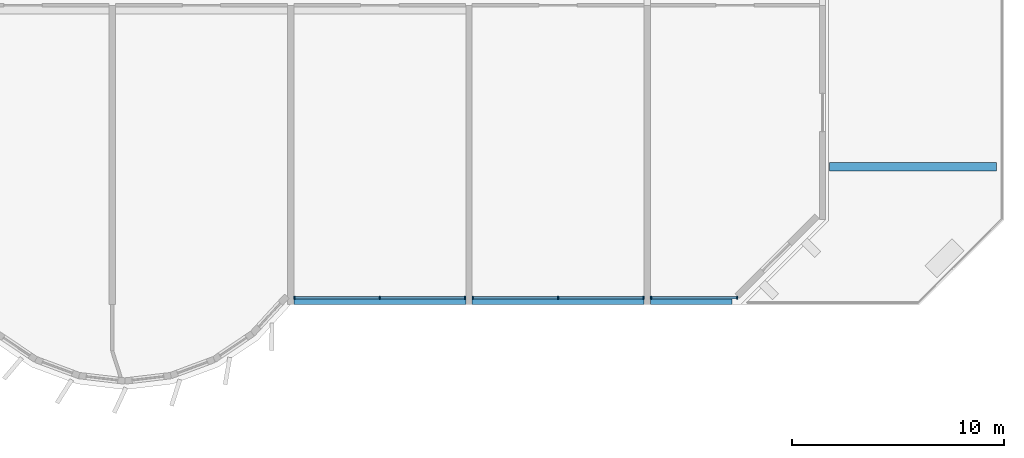
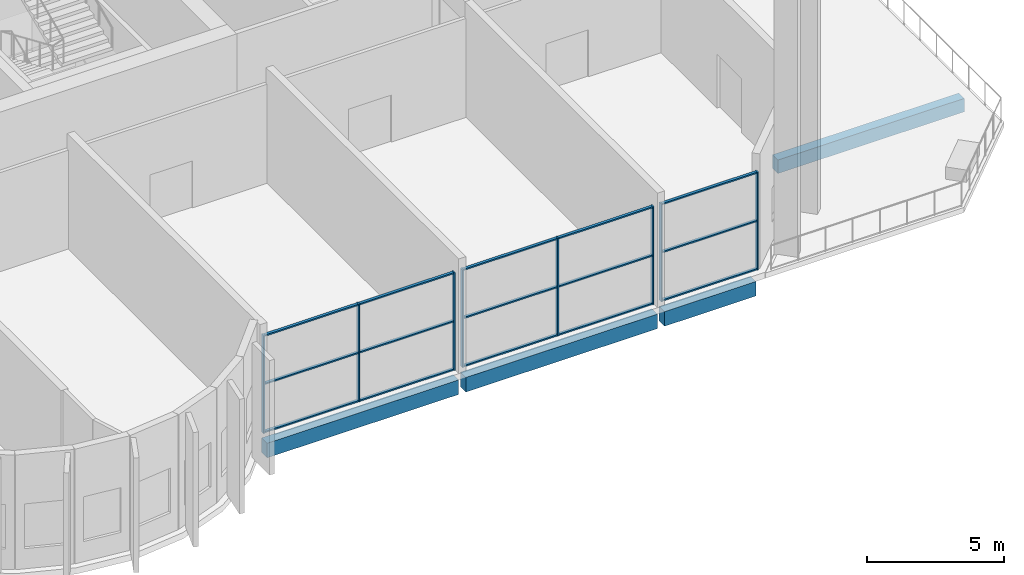
# One storey, part 6 of 19: 23 members, 4 beams, 3 elements without a shape of their own.
"""IFC4 building model written with IfcOpenShell, lengths in metres."""

from ifc_helpers import new_model, si_unit, direction, frame, origin, origin_2d, place, context, subcontext, project, spatial, rectangle, extrude, source, transform, mapped, material, material_profile, profile_set, type_object, element, aggregate, save


model = new_model("IFC4")

# Units and contexts
model_context = context("Model", 3, precision=1e-05, world=origin(), true_north=direction((0.0, 1.0)))
body_context = subcontext(model_context, "Body", "Model", "MODEL_VIEW")
ifc_project = project(units=[si_unit("LENGTHUNIT", "METRE"), si_unit("AREAUNIT", "SQUARE_METRE"), si_unit("VOLUMEUNIT", "CUBIC_METRE"), si_unit("PLANEANGLEUNIT", "RADIAN"), si_unit("MASSUNIT", "GRAM", prefix="KILO")], contexts=[model_context])

# Site, building, storey
site_placement = place(None, origin())
site = spatial("IfcSite", under=ifc_project, at=site_placement, CompositionType="ELEMENT")
building_placement = place(site_placement, origin())
building = spatial("IfcBuilding", under=site, at=building_placement, Name="Vanashikhar Sky Hotel", CompositionType="ELEMENT")
storey_placement = place(building_placement, frame((0.0, 0.0, 146.199951171875)))
storey = spatial("IfcBuildingStorey", under=building, at=storey_placement, Name="L35", CompositionType="ELEMENT", Elevation=146.199951171875)

# Beams
ifc_material_1 = material(Name="Concrete M50", Category="concrete")
ifc_material_profile_1 = material_profile(ifc_material_1, rectangle(XDim=0.39990234375, YDim=0.64990234375, at=origin_2d()))
ifc_profile_set_1 = profile_set([ifc_material_profile_1], Name="RC 400x650 beam Concrete M50")
beam_type_1 = type_object("IfcBeamType", Name="RC 400x650 beam Concrete M50", PredefinedType="BEAM", material=ifc_profile_set_1)
shared_shape_1 = source(origin(), body_context, "Body", "SweptSolid", [
    extrude(rectangle(XDim=0.39990234375, YDim=0.64990234375, at=origin_2d()), origin(), (0.0, 0.0, 1.0), 8.10009765625),
])
beam_1_placement = place(storey_placement, frame((75.75, 5.699951171875, -0.60498046875), z_axis=(1.0, 0.0, 0.0), x_axis=(0.0, 1.0, 0.0)))
element("IfcBeam", 1, at=beam_1_placement, inside=storey, type_object=beam_type_1, Name="EB-L35-F05", PredefinedType="BEAM", context=body_context, shape_type="MappedRepresentation", body=[
    mapped(shared_shape_1, transform((0.0, 0.0, 0.0), scale=1.0)),
])
shared_shape_2 = source(origin(), body_context, "Body", "SweptSolid", [
    extrude(rectangle(XDim=0.39990234375, YDim=0.64990234375, at=origin_2d()), origin(), (0.0, 0.0, 1.0), 8.099853515625),
])
beam_2_placement = place(storey_placement, frame((67.35009765625, 5.699951171875, -0.60498046875), z_axis=(1.0, 0.0, 0.0), x_axis=(0.0, 1.0, 0.0)))
element("IfcBeam", 2, at=beam_2_placement, inside=storey, type_object=beam_type_1, Name="EB-L35-F04", PredefinedType="BEAM", context=body_context, shape_type="MappedRepresentation", body=[
    mapped(shared_shape_2, transform((0.0, 0.0, 0.0), scale=1.0)),
])
ifc_material_profile_2 = material_profile(ifc_material_1, rectangle(XDim=0.39990234375, YDim=0.64990234375, at=origin_2d()))
ifc_profile_set_2 = profile_set([ifc_material_profile_2], Name="RC 400x650 cantilever beam Concrete M50")
beam_type_2 = type_object("IfcBeamType", Name="RC 400x650 cantilever beam Concrete M50", PredefinedType="SPANDREL", material=ifc_profile_set_2)
shared_shape_3 = source(origin(), body_context, "Body", "SweptSolid", [
    extrude(rectangle(XDim=0.39990234375, YDim=0.64990234375, at=origin_2d()), origin(), (0.0, 0.0, 1.0), 3.85009765625),
])
beam_3_placement = place(storey_placement, frame((84.14990234375, 5.699951171875, -0.60498046875), z_axis=(1.0, 0.0, 0.0), x_axis=(0.0, 1.0, 0.0)))
element("IfcBeam", 3, at=beam_3_placement, inside=storey, type_object=beam_type_2, Name="EB-L35-F06", PredefinedType="SPANDREL", context=body_context, shape_type="MappedRepresentation", body=[
    mapped(shared_shape_3, transform((0.0, 0.0, 0.0), scale=1.0)),
])
ifc_material_profile_3 = material_profile(ifc_material_1, rectangle(XDim=0.39990234375, YDim=0.60009765625, at=origin_2d()))
ifc_profile_set_3 = profile_set([ifc_material_profile_3], Name="RC 400x600 beam Concrete M50")
beam_type_3 = type_object("IfcBeamType", Name="RC 400x600 beam Concrete M50", PredefinedType="BEAM", material=ifc_profile_set_3)
shared_shape_4 = source(origin(), body_context, "Body", "SweptSolid", [
    extrude(rectangle(XDim=0.39990234375, YDim=0.60009765625, at=origin_2d()), origin(), (0.0, 0.0, 1.0), 7.875),
])
beam_4_placement = place(storey_placement, frame((92.574951171875, 12.0, -0.579833984375), z_axis=(1.0, 0.0, 0.0), x_axis=(0.0, 1.0, 0.0)))
element("IfcBeam", 4, at=beam_4_placement, inside=storey, type_object=beam_type_3, Name="TB-L35-E1", PredefinedType="BEAM", context=body_context, shape_type="MappedRepresentation", body=[
    mapped(shared_shape_4, transform((0.0, 0.0, 0.0), scale=1.0)),
])

# Curtain wall, members
ifc_material_2 = material(Name="Glass", Category="glass")
curtain_wall_type = type_object("IfcCurtainWallType", Name="Sky lobby curtain wall", PredefinedType="NOTDEFINED", material=ifc_material_2)
curtain_wall_1_placement = place(storey_placement, origin())
curtain_wall_1 = element("IfcCurtainWall", 5, at=curtain_wall_1_placement, inside=storey, type_object=curtain_wall_type, Name="Sky lobby curtain wall", PredefinedType="NOTDEFINED")
ifc_material_3 = material(Name="Aluminium 6063-T6", Category="aluminium")
ifc_material_profile_4 = material_profile(ifc_material_3, rectangle(XDim=0.159912109375, YDim=0.06005859375, at=origin_2d()))
ifc_profile_set_4 = profile_set([ifc_material_profile_4], Name="Aluminium 6063-T6")
member_type_1 = type_object("IfcMemberType", Name="Sky lobby mullion 60 x 160", PredefinedType="MULLION", material=ifc_profile_set_4)
shared_shape_5 = source(origin(), body_context, "Body", "SweptSolid", [
    extrude(rectangle(XDim=0.159912109375, YDim=0.06005859375, at=origin_2d()), origin(), (0.0, 0.0, 1.0), 4.3701171875),
])
member_1_placement = place(storey_placement, frame((67.3798828125, 5.824951171875, 0.0), z_axis=(0.0, 0.0, 1.0), x_axis=(0.0, 1.0, 0.0)))
member_1 = element("IfcMember", 6, at=member_1_placement, type_object=member_type_1, Name="CW-4 mullion 1", PredefinedType="MULLION", context=body_context, shape_type="MappedRepresentation", body=[
    mapped(shared_shape_5, transform((0.0, 0.0, 0.0), scale=1.0)),
])
member_2_placement = place(storey_placement, frame((71.39990234375, 5.824951171875, 0.0), z_axis=(0.0, 0.0, 1.0), x_axis=(0.0, 1.0, 0.0)))
member_2 = element("IfcMember", 7, at=member_2_placement, type_object=member_type_1, Name="CW-4 mullion 2", PredefinedType="MULLION", context=body_context, shape_type="MappedRepresentation", body=[
    mapped(shared_shape_5, transform((0.0, 0.0, 0.0), scale=1.0)),
])
member_3_placement = place(storey_placement, frame((75.419921875, 5.824951171875, 0.0), z_axis=(0.0, 0.0, 1.0), x_axis=(0.0, 1.0, 0.0)))
member_3 = element("IfcMember", 8, at=member_3_placement, type_object=member_type_1, Name="CW-4 mullion 3", PredefinedType="MULLION", context=body_context, shape_type="MappedRepresentation", body=[
    mapped(shared_shape_5, transform((0.0, 0.0, 0.0), scale=1.0)),
])

curtain_wall_2_placement = place(storey_placement, origin())
curtain_wall_2 = element("IfcCurtainWall", 9, at=curtain_wall_2_placement, inside=storey, type_object=curtain_wall_type, Name="Sky lobby curtain wall", PredefinedType="NOTDEFINED")
member_4_placement = place(storey_placement, frame((75.780029296875, 5.824951171875, 0.0), z_axis=(0.0, 0.0, 1.0), x_axis=(0.0, 1.0, 0.0)))
member_4 = element("IfcMember", 10, at=member_4_placement, type_object=member_type_1, Name="CW-4 mullion 1", PredefinedType="MULLION", context=body_context, shape_type="MappedRepresentation", body=[
    mapped(shared_shape_5, transform((0.0, 0.0, 0.0), scale=1.0)),
])
member_5_placement = place(storey_placement, frame((79.800048828125, 5.824951171875, 0.0), z_axis=(0.0, 0.0, 1.0), x_axis=(0.0, 1.0, 0.0)))
member_5 = element("IfcMember", 11, at=member_5_placement, type_object=member_type_1, Name="CW-4 mullion 2", PredefinedType="MULLION", context=body_context, shape_type="MappedRepresentation", body=[
    mapped(shared_shape_5, transform((0.0, 0.0, 0.0), scale=1.0)),
])
member_6_placement = place(storey_placement, frame((83.820068359375, 5.824951171875, 0.0), z_axis=(0.0, 0.0, 1.0), x_axis=(0.0, 1.0, 0.0)))
member_6 = element("IfcMember", 12, at=member_6_placement, type_object=member_type_1, Name="CW-4 mullion 3", PredefinedType="MULLION", context=body_context, shape_type="MappedRepresentation", body=[
    mapped(shared_shape_5, transform((0.0, 0.0, 0.0), scale=1.0)),
])

curtain_wall_3_placement = place(storey_placement, origin())
curtain_wall_3 = element("IfcCurtainWall", 13, at=curtain_wall_3_placement, inside=storey, type_object=curtain_wall_type, Name="Sky lobby curtain wall", PredefinedType="NOTDEFINED")
member_7_placement = place(storey_placement, frame((84.179931640625, 5.824951171875, 0.0), z_axis=(0.0, 0.0, 1.0), x_axis=(0.0, 1.0, 0.0)))
member_7 = element("IfcMember", 14, at=member_7_placement, type_object=member_type_1, Name="CW-4 mullion 1", PredefinedType="MULLION", context=body_context, shape_type="MappedRepresentation", body=[
    mapped(shared_shape_5, transform((0.0, 0.0, 0.0), scale=1.0)),
])
member_8_placement = place(storey_placement, frame((88.2353515625, 5.824951171875, 0.0), z_axis=(0.0, 0.0, 1.0), x_axis=(0.0, 1.0, 0.0)))
member_8 = element("IfcMember", 15, at=member_8_placement, type_object=member_type_1, Name="CW-4 mullion 2", PredefinedType="MULLION", context=body_context, shape_type="MappedRepresentation", body=[
    mapped(shared_shape_5, transform((0.0, 0.0, 0.0), scale=1.0)),
])

# Member
ifc_material_profile_5 = material_profile(ifc_material_3, rectangle(XDim=0.1201171875, YDim=0.06005859375, at=origin_2d()))
ifc_profile_set_5 = profile_set([ifc_material_profile_5], Name="Aluminium 6063-T6")
member_type_2 = type_object("IfcMemberType", Name="Sky lobby transom 60 x 120", PredefinedType="USERDEFINED", material=ifc_profile_set_5)
shared_shape_6 = source(origin(), body_context, "Body", "SweptSolid", [
    extrude(rectangle(XDim=0.1201171875, YDim=0.06005859375, at=origin_2d()), origin(), (0.0, 0.0, 1.0), 3.9599609375),
])
member_9_placement = place(storey_placement, frame((71.429931640625, 5.824951171875, 0.030029296875), z_axis=(1.0, 0.0, 0.0), x_axis=(0.0, 1.0, 0.0)))
member_9 = element("IfcMember", 16, at=member_9_placement, type_object=member_type_2, Name="CW-4 transom 2.1", ObjectType="TRANSOM", PredefinedType="USERDEFINED", context=body_context, shape_type="MappedRepresentation", body=[
    mapped(shared_shape_6, transform((0.0, 0.0, 0.0), scale=1.0)),
])

member_10_placement = place(storey_placement, frame((71.429931640625, 5.824951171875, 2.18505859375), z_axis=(1.0, 0.0, 0.0), x_axis=(0.0, 1.0, 0.0)))
member_10 = element("IfcMember", 17, at=member_10_placement, type_object=member_type_2, Name="CW-4 transom 2.2", ObjectType="TRANSOM", PredefinedType="USERDEFINED", context=body_context, shape_type="MappedRepresentation", body=[
    mapped(shared_shape_6, transform((0.0, 0.0, 0.0), scale=1.0)),
])

member_11_placement = place(storey_placement, frame((71.429931640625, 5.824951171875, 4.340087890625), z_axis=(1.0, 0.0, 0.0), x_axis=(0.0, 1.0, 0.0)))
member_11 = element("IfcMember", 18, at=member_11_placement, type_object=member_type_2, Name="CW-4 transom 2.3", ObjectType="TRANSOM", PredefinedType="USERDEFINED", context=body_context, shape_type="MappedRepresentation", body=[
    mapped(shared_shape_6, transform((0.0, 0.0, 0.0), scale=1.0)),
])

member_12_placement = place(storey_placement, frame((75.81005859375, 5.824951171875, 0.030029296875), z_axis=(1.0, 0.0, 0.0), x_axis=(0.0, 1.0, 0.0)))
member_12 = element("IfcMember", 19, at=member_12_placement, type_object=member_type_2, Name="CW-4 transom 1.1", ObjectType="TRANSOM", PredefinedType="USERDEFINED", context=body_context, shape_type="MappedRepresentation", body=[
    mapped(shared_shape_6, transform((0.0, 0.0, 0.0), scale=1.0)),
])

member_13_placement = place(storey_placement, frame((75.81005859375, 5.824951171875, 2.18505859375), z_axis=(1.0, 0.0, 0.0), x_axis=(0.0, 1.0, 0.0)))
member_13 = element("IfcMember", 20, at=member_13_placement, type_object=member_type_2, Name="CW-4 transom 1.2", ObjectType="TRANSOM", PredefinedType="USERDEFINED", context=body_context, shape_type="MappedRepresentation", body=[
    mapped(shared_shape_6, transform((0.0, 0.0, 0.0), scale=1.0)),
])

member_14_placement = place(storey_placement, frame((75.81005859375, 5.824951171875, 4.340087890625), z_axis=(1.0, 0.0, 0.0), x_axis=(0.0, 1.0, 0.0)))
member_14 = element("IfcMember", 21, at=member_14_placement, type_object=member_type_2, Name="CW-4 transom 1.3", ObjectType="TRANSOM", PredefinedType="USERDEFINED", context=body_context, shape_type="MappedRepresentation", body=[
    mapped(shared_shape_6, transform((0.0, 0.0, 0.0), scale=1.0)),
])

member_15_placement = place(storey_placement, frame((79.830078125, 5.824951171875, 0.030029296875), z_axis=(1.0, 0.0, 0.0), x_axis=(0.0, 1.0, 0.0)))
member_15 = element("IfcMember", 22, at=member_15_placement, type_object=member_type_2, Name="CW-4 transom 2.1", ObjectType="TRANSOM", PredefinedType="USERDEFINED", context=body_context, shape_type="MappedRepresentation", body=[
    mapped(shared_shape_6, transform((0.0, 0.0, 0.0), scale=1.0)),
])

member_16_placement = place(storey_placement, frame((79.830078125, 5.824951171875, 2.18505859375), z_axis=(1.0, 0.0, 0.0), x_axis=(0.0, 1.0, 0.0)))
member_16 = element("IfcMember", 23, at=member_16_placement, type_object=member_type_2, Name="CW-4 transom 2.2", ObjectType="TRANSOM", PredefinedType="USERDEFINED", context=body_context, shape_type="MappedRepresentation", body=[
    mapped(shared_shape_6, transform((0.0, 0.0, 0.0), scale=1.0)),
])

member_17_placement = place(storey_placement, frame((79.830078125, 5.824951171875, 4.340087890625), z_axis=(1.0, 0.0, 0.0), x_axis=(0.0, 1.0, 0.0)))
member_17 = element("IfcMember", 24, at=member_17_placement, type_object=member_type_2, Name="CW-4 transom 2.3", ObjectType="TRANSOM", PredefinedType="USERDEFINED", context=body_context, shape_type="MappedRepresentation", body=[
    mapped(shared_shape_6, transform((0.0, 0.0, 0.0), scale=1.0)),
])

aggregate(curtain_wall_2, [member_4, member_5, member_6, member_12, member_13, member_14, member_15, member_16, member_17])

shared_shape_7 = source(origin(), body_context, "Body", "SweptSolid", [
    extrude(rectangle(XDim=0.1201171875, YDim=0.06005859375, at=origin_2d()), origin(), (0.0, 0.0, 1.0), 3.960205078125),
])
member_18_placement = place(storey_placement, frame((67.409912109375, 5.824951171875, 0.030029296875), z_axis=(1.0, 0.0, 0.0), x_axis=(0.0, 1.0, 0.0)))
member_18 = element("IfcMember", 25, at=member_18_placement, type_object=member_type_2, Name="CW-4 transom 1.1", ObjectType="TRANSOM", PredefinedType="USERDEFINED", context=body_context, shape_type="MappedRepresentation", body=[
    mapped(shared_shape_7, transform((0.0, 0.0, 0.0), scale=1.0)),
])

member_19_placement = place(storey_placement, frame((67.409912109375, 5.824951171875, 2.18505859375), z_axis=(1.0, 0.0, 0.0), x_axis=(0.0, 1.0, 0.0)))
member_19 = element("IfcMember", 26, at=member_19_placement, type_object=member_type_2, Name="CW-4 transom 1.2", ObjectType="TRANSOM", PredefinedType="USERDEFINED", context=body_context, shape_type="MappedRepresentation", body=[
    mapped(shared_shape_7, transform((0.0, 0.0, 0.0), scale=1.0)),
])

member_20_placement = place(storey_placement, frame((67.409912109375, 5.824951171875, 4.340087890625), z_axis=(1.0, 0.0, 0.0), x_axis=(0.0, 1.0, 0.0)))
member_20 = element("IfcMember", 27, at=member_20_placement, type_object=member_type_2, Name="CW-4 transom 1.3", ObjectType="TRANSOM", PredefinedType="USERDEFINED", context=body_context, shape_type="MappedRepresentation", body=[
    mapped(shared_shape_7, transform((0.0, 0.0, 0.0), scale=1.0)),
])

aggregate(curtain_wall_1, [member_1, member_2, member_3, member_18, member_19, member_20, member_9, member_10, member_11])

shared_shape_8 = source(origin(), body_context, "Body", "SweptSolid", [
    extrude(rectangle(XDim=0.1201171875, YDim=0.06005859375, at=origin_2d()), origin(), (0.0, 0.0, 1.0), 3.995361328125),
])
member_21_placement = place(storey_placement, frame((84.2099609375, 5.824951171875, 0.030029296875), z_axis=(1.0, 0.0, 0.0), x_axis=(0.0, 1.0, 0.0)))
member_21 = element("IfcMember", 28, at=member_21_placement, type_object=member_type_2, Name="CW-4 transom 1.1", ObjectType="TRANSOM", PredefinedType="USERDEFINED", context=body_context, shape_type="MappedRepresentation", body=[
    mapped(shared_shape_8, transform((0.0, 0.0, 0.0), scale=1.0)),
])

member_22_placement = place(storey_placement, frame((84.2099609375, 5.824951171875, 2.18505859375), z_axis=(1.0, 0.0, 0.0), x_axis=(0.0, 1.0, 0.0)))
member_22 = element("IfcMember", 29, at=member_22_placement, type_object=member_type_2, Name="CW-4 transom 1.2", ObjectType="TRANSOM", PredefinedType="USERDEFINED", context=body_context, shape_type="MappedRepresentation", body=[
    mapped(shared_shape_8, transform((0.0, 0.0, 0.0), scale=1.0)),
])

member_23_placement = place(storey_placement, frame((84.2099609375, 5.824951171875, 4.340087890625), z_axis=(1.0, 0.0, 0.0), x_axis=(0.0, 1.0, 0.0)))
member_23 = element("IfcMember", 30, at=member_23_placement, type_object=member_type_2, Name="CW-4 transom 1.3", ObjectType="TRANSOM", PredefinedType="USERDEFINED", context=body_context, shape_type="MappedRepresentation", body=[
    mapped(shared_shape_8, transform((0.0, 0.0, 0.0), scale=1.0)),
])

aggregate(curtain_wall_3, [member_7, member_8, member_21, member_22, member_23])

save(model, "model.ifc")
